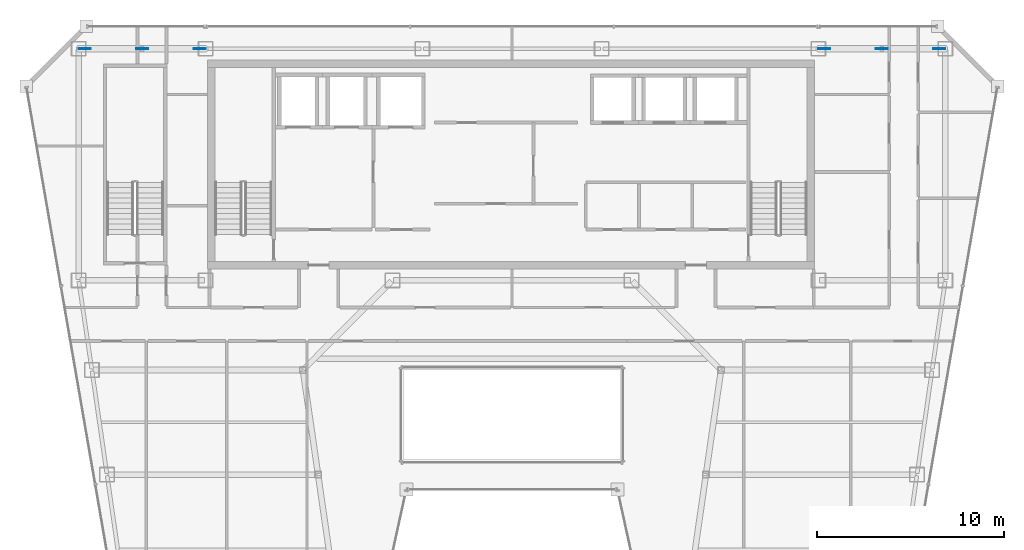
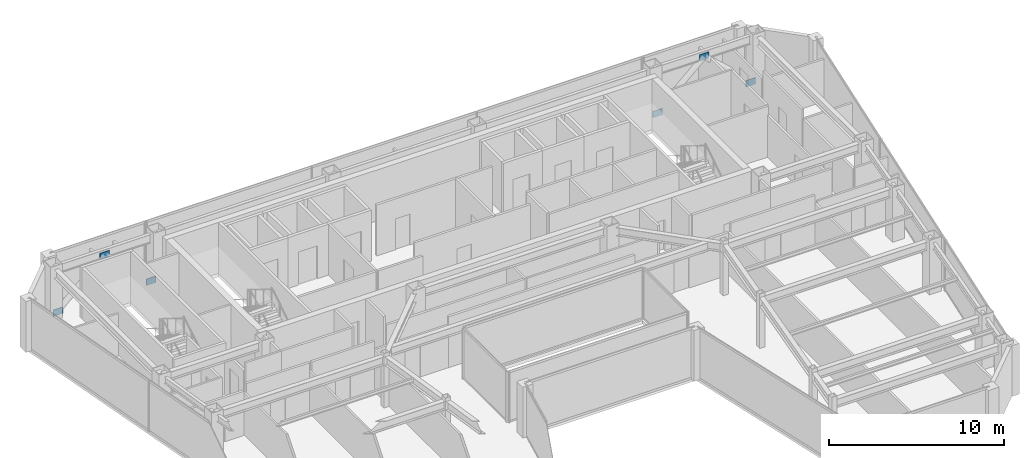
# One storey, part 25 of 33: 6 plates.
"""IFC4 building model written with IfcOpenShell, lengths in metres."""

from ifc_helpers import new_model, si_unit, direction, frame, origin, origin_2d, place, context, subcontext, project, spatial, rectangle, extrude, material, layer, layer_set, type_object, element, save


model = new_model("IFC4")

# Units and contexts
model_context = context("Model", 3, precision=1e-05, world=origin(), true_north=direction((0.0, 1.0)))
body_context = subcontext(model_context, "Body", "Model", "MODEL_VIEW")
ifc_project = project(units=[si_unit("LENGTHUNIT", "METRE"), si_unit("AREAUNIT", "SQUARE_METRE"), si_unit("VOLUMEUNIT", "CUBIC_METRE"), si_unit("PLANEANGLEUNIT", "RADIAN"), si_unit("MASSUNIT", "GRAM", prefix="KILO")], contexts=[model_context])

# Site, building, storey
site_placement = place(None, origin())
site = spatial("IfcSite", under=ifc_project, at=site_placement, CompositionType="ELEMENT")
building_placement = place(site_placement, origin())
building = spatial("IfcBuilding", under=site, at=building_placement, Name="Saevonmaru Cultural Tower", CompositionType="ELEMENT")
storey_placement = place(building_placement, frame((0.0, 0.0, 238.199951171875)))
storey = spatial("IfcBuildingStorey", under=building, at=storey_placement, Name="L55", CompositionType="ELEMENT", Elevation=238.199951171875)

# Plates
ifc_material = material(Name="Steel HSA600 (600 MPa)", Category="steel")
ifc_layer = layer(ifc_material, 0.0400390625, Name="Steel HSA600 (600 MPa)")
ifc_layer_set = layer_set([ifc_layer], Name="Steel HSA600 (600 MPa)")
plate_type = type_object("IfcPlateType", Name="PL-GUSSET-EXT", PredefinedType="USERDEFINED", material=ifc_layer_set)
for number, where, z_axis, x_axis, name in (
    (1, (10.199951171875, 54.800048828125, 2.900146484375), (0.0, 0.0, 1.0), (1.0, 0.0, 0.0), "L55 Perimeter Tube Gusset Plate"),
    (2, (7.1201171875, 54.800048828125, 0.02001953125), (0.0, 0.0, 1.0), (1.0, 0.0, 0.0), "L55 Perimeter Tube Gusset Plate"),
    (3, (13.280029296875, 54.800048828125, 0.02001953125), (0.0, 0.0, 1.0), (1.0, 0.0, 0.0), "L55 Perimeter Tube Gusset Plate"),
    (4, (49.800048828125, 54.800048828125, 2.900146484375), (0.0, 0.0, 1.0), (1.0, 0.0, 0.0), "L55 Perimeter Tube Gusset Plate"),
    (5, (46.719970703125, 54.800048828125, 0.02001953125), (0.0, 0.0, 1.0), (1.0, 0.0, 0.0), "L55 Perimeter Tube Gusset Plate"),
    (6, (52.8798828125, 54.800048828125, 0.02001953125), (0.0, 0.0, 1.0), (1.0, 0.0, 0.0), "L55 Perimeter Tube Gusset Plate"),
):
    element("IfcPlate", number, at=place(storey_placement, frame(where, z_axis=z_axis, x_axis=x_axis)), inside=storey, type_object=plate_type, Name=name, ObjectType="GUSSET_PLATE", PredefinedType="USERDEFINED", context=body_context, shape_type="SweptSolid", body=[
        extrude(rectangle(XDim=0.639892578125, YDim=0.0400390625, at=origin_2d()), origin(), (0.0, 0.0, 1.0), 0.43994140625),
    ])

save(model, "model.ifc")
